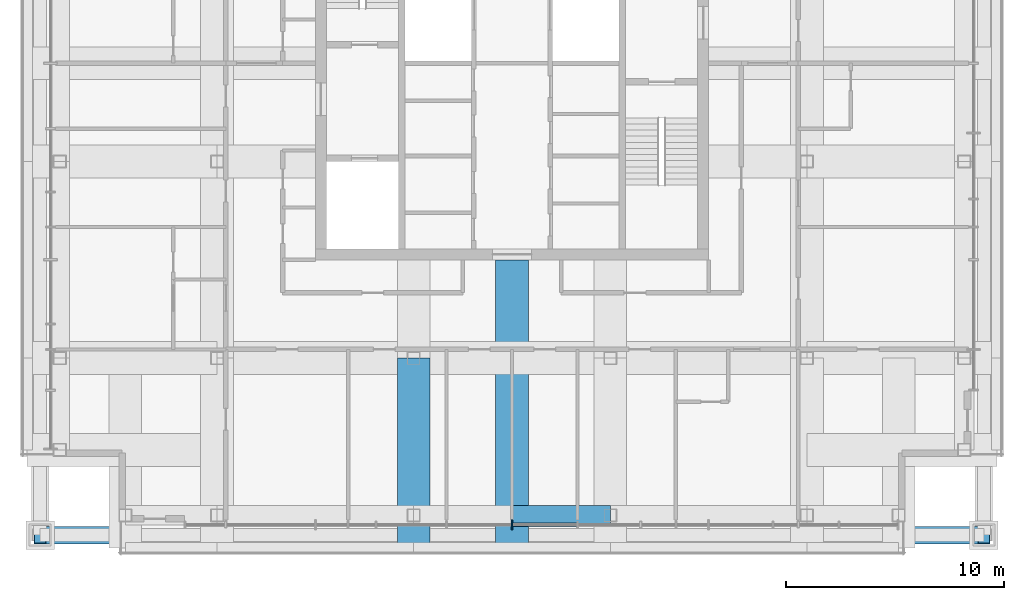
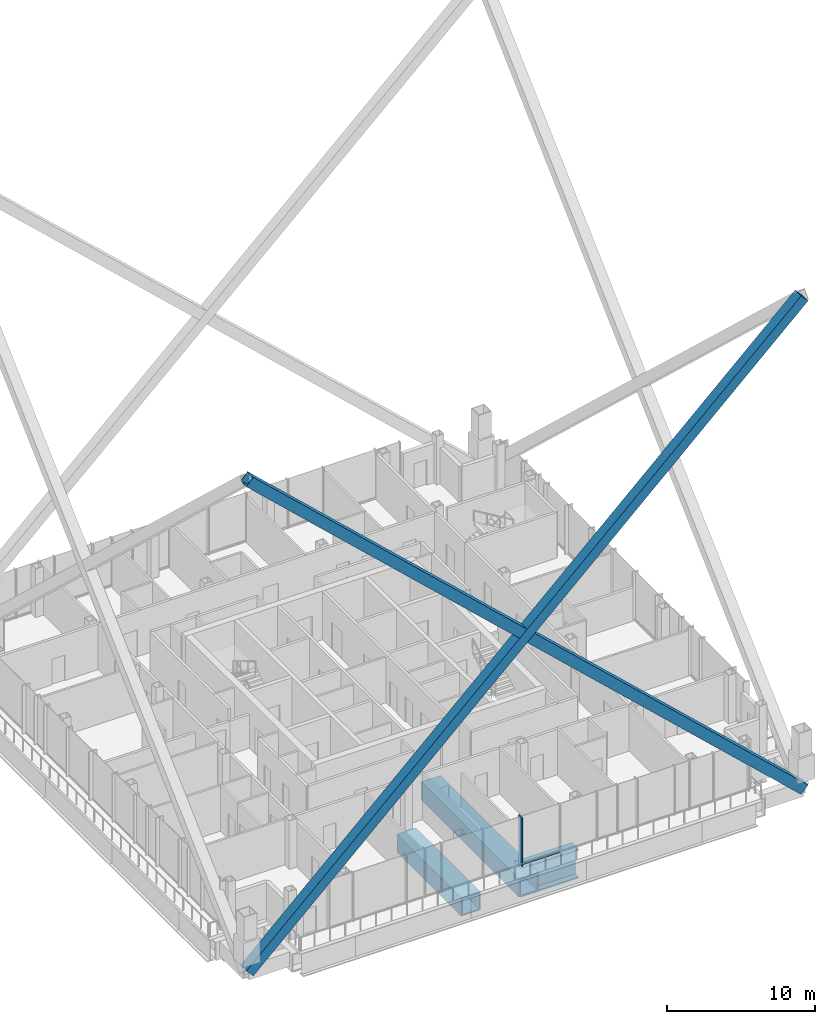
# One storey, part 3 of 19: 4 members, 3 beams, 1 element without a shape of its own.
"""IFC4 building model written with IfcOpenShell, lengths in metres."""

from ifc_helpers import new_model, si_unit, direction, frame, origin, origin_2d, place, context, subcontext, project, spatial, rectangle, hollow_rectangle, i_section, extrude, material, layer, layer_set, material_profile, profile_set, type_object, element, aggregate, save


model = new_model("IFC4")

# Units and contexts
model_context = context("Model", 3, precision=1e-05, world=origin(), true_north=direction((0.0, 1.0)))
body_context = subcontext(model_context, "Body", "Model", "MODEL_VIEW")
ifc_project = project(units=[si_unit("LENGTHUNIT", "METRE"), si_unit("AREAUNIT", "SQUARE_METRE"), si_unit("VOLUMEUNIT", "CUBIC_METRE"), si_unit("PLANEANGLEUNIT", "RADIAN"), si_unit("MASSUNIT", "GRAM", prefix="KILO")], contexts=[model_context])

# Site, building, storey
site_placement = place(None, origin())
site = spatial("IfcSite", under=ifc_project, at=site_placement, CompositionType="ELEMENT")
building_placement = place(site_placement, origin())
building = spatial("IfcBuilding", under=site, at=building_placement, Name="Malebo Sky Hospital", CompositionType="ELEMENT")
storey_placement = place(building_placement, frame((0.0, 0.0, 250.0)))
storey = spatial("IfcBuildingStorey", under=building, at=storey_placement, Name="L60", CompositionType="ELEMENT", Elevation=250.0)

# Curtain wall, members
ifc_material_1 = material(Name="Anodised aluminium, natural silver", Category="aluminium")
ifc_layer = layer(ifc_material_1, 0.25)
ifc_layer_set = layer_set([ifc_layer], Name="WARD CURTAIN WALL NORTH AND SOUTH")
curtain_wall_type = type_object("IfcCurtainWallType", Name="WARD CURTAIN WALL NORTH AND SOUTH", PredefinedType="NOTDEFINED", material=ifc_layer_set)
curtain_wall_placement = place(storey_placement, origin())
curtain_wall = element("IfcCurtainWall", 1, at=curtain_wall_placement, inside=storey, type_object=curtain_wall_type, Name="NS curtain wall S", PredefinedType="NOTDEFINED")
ifc_material_profile_1 = material_profile(ifc_material_1, rectangle(XDim=0.14990234375, YDim=0.10009765625, at=origin_2d()), Name="ALUMINIUM TRANSOM 150x100")
ifc_profile_set_1 = profile_set([ifc_material_profile_1], Name="Anodised aluminium, natural silver")
member_type_1 = type_object("IfcMemberType", Name="ALUMINIUM TRANSOM 150x100", PredefinedType="USERDEFINED", material=ifc_profile_set_1)
member_1_placement = place(storey_placement, frame((62.96240234375, 40.875, 0.050048828125), z_axis=(-1.0, 0.0, 0.0), x_axis=(0.0, -1.0, 0.0)))
member_1 = element("IfcMember", 2, at=member_1_placement, type_object=member_type_1, Name="Transom 8", ObjectType="TRANSOM", PredefinedType="USERDEFINED", context=body_context, shape_type="SweptSolid", body=[
    extrude(rectangle(XDim=0.14990234375, YDim=0.10009765625, at=origin_2d()), origin(), (0.0, 0.0, 1.0), 2.9248046875),
])
ifc_material_profile_2 = material_profile(ifc_material_1, rectangle(XDim=0.074951171875, YDim=0.449951171875, at=origin_2d()), Name="CW1 ALUMINIUM FIN MULLION 75x450")
ifc_profile_set_2 = profile_set([ifc_material_profile_2], Name="Anodised aluminium, natural silver")
member_type_2 = type_object("IfcMemberType", Name="CW1 ALUMINIUM FIN MULLION 75x450", PredefinedType="MULLION", material=ifc_profile_set_2)
member_2_placement = place(storey_placement, frame((60.0, 40.875, 0.0), z_axis=(0.0, 0.0, 1.0), x_axis=(-1.0, 0.0, 0.0)))
member_2 = element("IfcMember", 3, at=member_2_placement, type_object=member_type_2, Name="Fin mullion 9", PredefinedType="MULLION", context=body_context, shape_type="SweptSolid", body=[
    extrude(rectangle(XDim=0.074951171875, YDim=0.449951171875, at=origin_2d()), origin(), (0.0, 0.0, 1.0), 4.0),
])
aggregate(curtain_wall, [member_2, member_1])

# Members
ifc_material_2 = material(Name="Steel S460", Category="steel")
ifc_material_profile_3 = material_profile(ifc_material_2, hollow_rectangle(XDim=0.800048828125, YDim=0.800048828125, WallThickness=0.0400390625, at=origin_2d()), Name="BOX 800x800x40")
ifc_profile_set_3 = profile_set([ifc_material_profile_3], Name="Steel S460")
member_type_3 = type_object("IfcMemberType", Name="MEGA BRACE BOX 800x800x40", PredefinedType="BRACE", material=ifc_profile_set_3)
for number, where, z_axis, x_axis, name in (
    (4, (38.39990234375, 40.39990234375, -0.85009765625), (0.729958512274, 0.0, 0.683491455951), (0.0, 1.0, 0.0), "Mega brace D1S1 L60-RF"),
    (5, (81.60009765625, 40.39990234375, -0.85009765625), (-0.729958512274, 0.0, 0.683491455951), (0.0, -1.0, 0.0), "Mega brace D1S2 L60-RF"),
):
    element("IfcMember", number, at=place(storey_placement, frame(where, z_axis=z_axis, x_axis=x_axis)), inside=storey, type_object=member_type_3, Name=name, PredefinedType="BRACE", context=body_context, shape_type="SweptSolid", body=[
        extrude(hollow_rectangle(XDim=0.800048828125, YDim=0.800048828125, WallThickness=0.0400390625, at=origin_2d()), origin(), (0.0, 0.0, 1.0), 59.181640625),
    ])

# Beams
ifc_material_profile_4 = material_profile(ifc_material_2, hollow_rectangle(XDim=1.5, YDim=1.5, WallThickness=0.10009765625, at=origin_2d()), Name="BOX 1500x1500x100")
ifc_profile_set_4 = profile_set([ifc_material_profile_4], Name="Steel S460")
beam_type_1 = type_object("IfcBeamType", Name="TRANSFER GIRDER BOX 1500x1500x100", PredefinedType="BEAM", material=ifc_profile_set_4)
beam_1_placement = place(storey_placement, frame((55.5, 39.800048828125, -1.0), z_axis=(0.0, 1.0, 0.0), x_axis=(-1.0, 0.0, 0.0)))
element("IfcBeam", 6, at=beam_1_placement, inside=storey, type_object=beam_type_1, Name="Beam 013 L60", PredefinedType="BEAM", context=body_context, shape_type="SweptSolid", body=[
    extrude(hollow_rectangle(XDim=1.5, YDim=1.5, WallThickness=0.10009765625, at=origin_2d()), origin(), (0.0, 0.0, 1.0), 8.699951171875),
])
beam_2_placement = place(storey_placement, frame((60.0, 39.800048828125, -1.0), z_axis=(0.0, 1.0, 0.0), x_axis=(-1.0, 0.0, 0.0)))
element("IfcBeam", 7, at=beam_2_placement, inside=storey, type_object=beam_type_1, Name="Beam 017 L60", PredefinedType="BEAM", context=body_context, shape_type="SweptSolid", body=[
    extrude(hollow_rectangle(XDim=1.5, YDim=1.5, WallThickness=0.10009765625, at=origin_2d()), origin(), (0.0, 0.0, 1.0), 13.199951171875),
])
ifc_material_3 = material(Name="Steel S355", Category="steel")
ifc_material_profile_5 = material_profile(ifc_material_3, i_section(OverallWidth=0.89990234375, OverallDepth=2.39990234375, WebThickness=0.050048828125, FlangeThickness=0.10009765625, at=origin_2d()), Name="PG 2400x900x50x100")
ifc_profile_set_5 = profile_set([ifc_material_profile_5], Name="Steel S355")
beam_type_2 = type_object("IfcBeamType", Name="TRANSFER GIRDER PG 2400x900x50x100", PredefinedType="BEAM", material=ifc_profile_set_5)
beam_3_placement = place(storey_placement, frame((60.0, 41.300048828125, -1.449951171875), z_axis=(1.0, 0.0, 0.0), x_axis=(0.0, 1.0, 0.0)))
element("IfcBeam", 8, at=beam_3_placement, inside=storey, type_object=beam_type_2, Name="Beam 041d L60", PredefinedType="BEAM", context=body_context, shape_type="SweptSolid", body=[
    extrude(i_section(OverallWidth=0.89990234375, OverallDepth=2.39990234375, WebThickness=0.050048828125, FlangeThickness=0.10009765625, at=origin_2d()), origin(), (0.0, 0.0, 1.0), 4.5),
])

save(model, "model.ifc")
